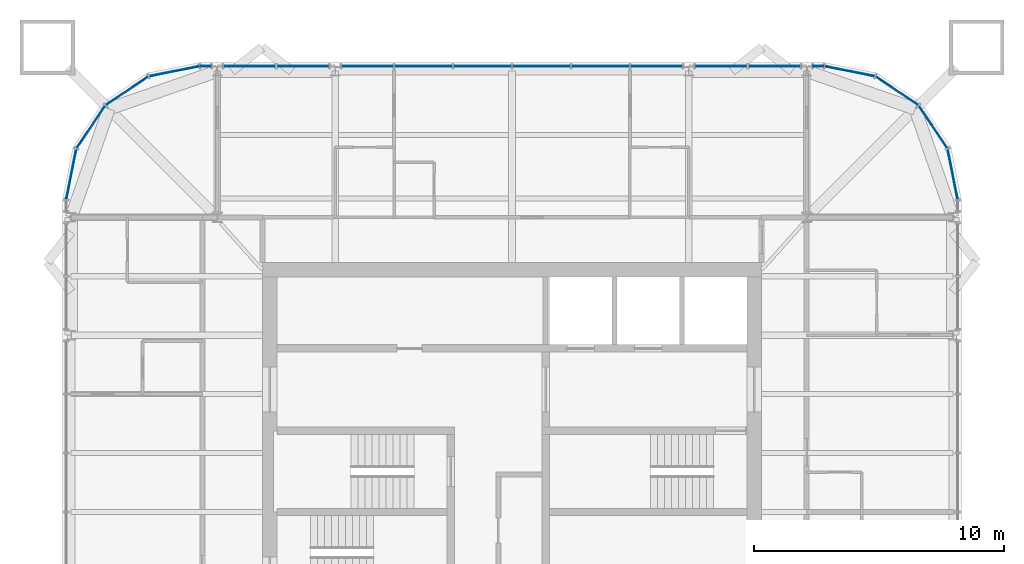
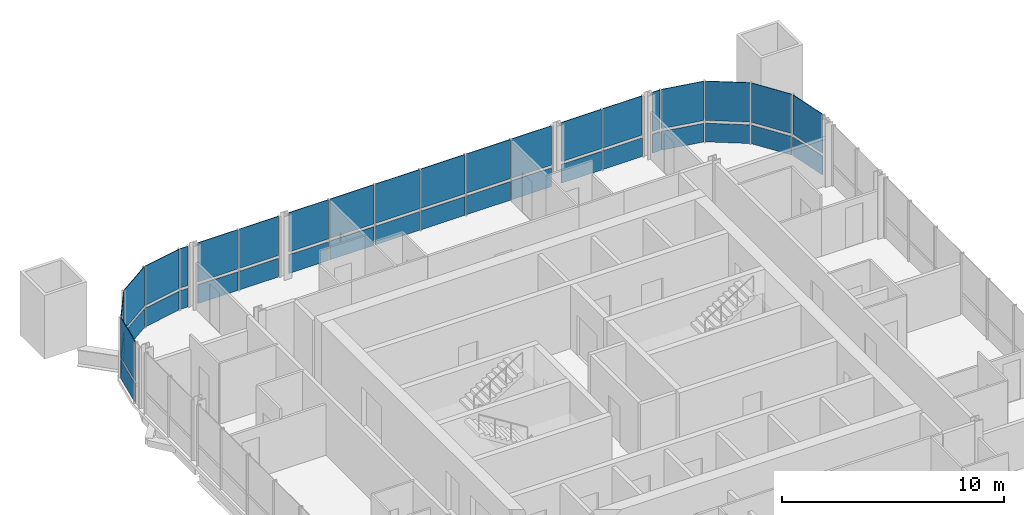
# One storey, part 12 of 17: 40 plates, 7 elements without a shape of their own.
"""IFC4 building model written with IfcOpenShell, lengths in metres."""

from ifc_helpers import new_model, si_unit, direction, frame, origin, origin_2d, place, context, subcontext, project, spatial, rectangle, extrude, material, layer, layer_set, type_object, element, aggregate, save


model = new_model("IFC4")

# Units and contexts
model_context = context("Model", 3, precision=1e-05, world=origin(), true_north=direction((0.0, 1.0)))
body_context = subcontext(model_context, "Body", "Model", "MODEL_VIEW")
ifc_project = project(units=[si_unit("LENGTHUNIT", "METRE"), si_unit("AREAUNIT", "SQUARE_METRE"), si_unit("VOLUMEUNIT", "CUBIC_METRE"), si_unit("PLANEANGLEUNIT", "RADIAN"), si_unit("MASSUNIT", "GRAM", prefix="KILO")], contexts=[model_context])

# Site, building, storey
site_placement = place(None, origin())
site = spatial("IfcSite", under=ifc_project, at=site_placement, CompositionType="ELEMENT")
building_placement = place(site_placement, origin())
building = spatial("IfcBuilding", under=site, at=building_placement, Name="Turquesa Mirador Hotel Tower", CompositionType="ELEMENT")
storey_placement = place(building_placement, frame((0.0, 0.0, 237.199951171875)))
storey = spatial("IfcBuildingStorey", under=building, at=storey_placement, Name="L64", CompositionType="ELEMENT", Elevation=237.199951171875)

# Curtain wall, plates
ifc_material_1 = material(Name="Aluminium extrusion", Category="aluminium")
curtain_wall_type = type_object("IfcCurtainWallType", Name="CW-4 SUITE FRITTED CURTAIN WALL", PredefinedType="USERDEFINED", material=ifc_material_1)
curtain_wall_1_placement = place(storey_placement, origin())
curtain_wall_1 = element("IfcCurtainWall", 1, at=curtain_wall_1_placement, inside=storey, type_object=curtain_wall_type, Name="CW-4 SUITE FRITTED CURTAIN WALL L64", ObjectType="CURTAIN WALL", PredefinedType="USERDEFINED")
ifc_material_2 = material(Name="Ceramic-printed spandrel glass on an insulated back pan", Category="glass")
ifc_layer_1 = layer(ifc_material_2, 0.050048828125)
ifc_layer_set_1 = layer_set([ifc_layer_1], Name="CW PANEL SPANDREL CERAMIC")
plate_type_1 = type_object("IfcPlateType", Name="CW PANEL SPANDREL CERAMIC", PredefinedType="CURTAIN_PANEL", material=ifc_layer_set_1)
plate_1_placement = place(storey_placement, frame((72.646484375, 58.523681640625, 0.0), z_axis=(0.0, 0.0, 1.0), x_axis=(-0.195090585221, 0.980785228048, 0.0)))
plate_1 = element("IfcPlate", 2, at=plate_1_placement, type_object=plate_type_1, Name="Panel", PredefinedType="CURTAIN_PANEL", context=body_context, shape_type="SweptSolid", body=[
    extrude(rectangle(XDim=2.0224609375, YDim=0.050048828125, at=origin_2d()), origin(), (0.0, 0.0, 1.0), 1.02490234375),
])
plate_2_placement = place(storey_placement, frame((71.86279296875, 60.415283203125, 0.0), z_axis=(0.0, 0.0, 1.0), x_axis=(-0.555570141754, 0.831469673284, 0.0)))
plate_2 = element("IfcPlate", 3, at=plate_2_placement, type_object=plate_type_1, Name="Panel", PredefinedType="CURTAIN_PANEL", context=body_context, shape_type="SweptSolid", body=[
    extrude(rectangle(XDim=2.0224609375, YDim=0.050048828125, at=origin_2d()), origin(), (0.0, 0.0, 1.0), 1.02490234375),
])
plate_3_placement = place(storey_placement, frame((70.415283203125, 61.86279296875, 0.0), z_axis=(0.0, 0.0, 1.0), x_axis=(-0.831469673284, 0.555570141754, 0.0)))
plate_3 = element("IfcPlate", 4, at=plate_3_placement, type_object=plate_type_1, Name="Panel", PredefinedType="CURTAIN_PANEL", context=body_context, shape_type="SweptSolid", body=[
    extrude(rectangle(XDim=2.0224609375, YDim=0.050048828125, at=origin_2d()), origin(), (0.0, 0.0, 1.0), 1.02490234375),
])
plate_4_placement = place(storey_placement, frame((68.523681640625, 62.646484375, 0.0), z_axis=(0.0, 0.0, 1.0), x_axis=(-0.980785228048, 0.195090585221, 0.0)))
plate_4 = element("IfcPlate", 5, at=plate_4_placement, type_object=plate_type_1, Name="Panel", PredefinedType="CURTAIN_PANEL", context=body_context, shape_type="SweptSolid", body=[
    extrude(rectangle(XDim=2.0224609375, YDim=0.050048828125, at=origin_2d()), origin(), (0.0, 0.0, 1.0), 1.02490234375),
])

# Curtain wall, plate
curtain_wall_2_placement = place(storey_placement, origin())
curtain_wall_2 = element("IfcCurtainWall", 6, at=curtain_wall_2_placement, inside=storey, type_object=curtain_wall_type, Name="CW-4 SUITE FRITTED CURTAIN WALL L64", ObjectType="CURTAIN WALL", PredefinedType="USERDEFINED")
plate_5_placement = place(storey_placement, frame((67.266845703125, 62.85009765625, 0.0), z_axis=(0.0, 0.0, 1.0), x_axis=(-1.0, 0.0, 0.0)))
plate_5 = element("IfcPlate", 7, at=plate_5_placement, type_object=plate_type_1, Name="Panel", PredefinedType="CURTAIN_PANEL", context=body_context, shape_type="SweptSolid", body=[
    extrude(rectangle(XDim=0.401123046875, YDim=0.050048828125, at=origin_2d()), origin(), (0.0, 0.0, 1.0), 1.02490234375),
])

# Curtain wall, plates
curtain_wall_3_placement = place(storey_placement, origin())
curtain_wall_3 = element("IfcCurtainWall", 8, at=curtain_wall_3_placement, inside=storey, type_object=curtain_wall_type, Name="CW-4 SUITE FRITTED CURTAIN WALL L64", ObjectType="CURTAIN WALL", PredefinedType="USERDEFINED")
plate_6_placement = place(storey_placement, frame((65.503173828125, 62.85009765625, 0.0), z_axis=(0.0, 0.0, 1.0), x_axis=(-1.0, 0.0, 0.0)))
plate_6 = element("IfcPlate", 9, at=plate_6_placement, type_object=plate_type_1, Name="Panel", PredefinedType="CURTAIN_PANEL", context=body_context, shape_type="SweptSolid", body=[
    extrude(rectangle(XDim=2.06103515625, YDim=0.050048828125, at=origin_2d()), origin(), (0.0, 0.0, 1.0), 1.02490234375),
])
plate_7_placement = place(storey_placement, frame((63.376953125, 62.85009765625, 0.0), z_axis=(0.0, 0.0, 1.0), x_axis=(-1.0, 0.0, 0.0)))
plate_7 = element("IfcPlate", 10, at=plate_7_placement, type_object=plate_type_1, Name="Panel", PredefinedType="CURTAIN_PANEL", context=body_context, shape_type="SweptSolid", body=[
    extrude(rectangle(XDim=2.06103515625, YDim=0.050048828125, at=origin_2d()), origin(), (0.0, 0.0, 1.0), 1.02490234375),
])

curtain_wall_4_placement = place(storey_placement, origin())
curtain_wall_4 = element("IfcCurtainWall", 11, at=curtain_wall_4_placement, inside=storey, type_object=curtain_wall_type, Name="CW-4 SUITE FRITTED CURTAIN WALL L64", ObjectType="CURTAIN WALL", PredefinedType="USERDEFINED")
plate_8_placement = place(storey_placement, frame((60.782958984375, 62.85009765625, 0.0), z_axis=(0.0, 0.0, 1.0), x_axis=(-1.0, 0.0, 0.0)))
plate_8 = element("IfcPlate", 12, at=plate_8_placement, type_object=plate_type_1, Name="Panel", PredefinedType="CURTAIN_PANEL", context=body_context, shape_type="SweptSolid", body=[
    extrude(rectangle(XDim=2.06103515625, YDim=0.050048828125, at=origin_2d()), origin(), (0.0, 0.0, 1.0), 1.02490234375),
])
plate_9_placement = place(storey_placement, frame((58.5400390625, 62.85009765625, 0.0), z_axis=(0.0, 0.0, 1.0), x_axis=(-1.0, 0.0, 0.0)))
plate_9 = element("IfcPlate", 13, at=plate_9_placement, type_object=plate_type_1, Name="Panel", PredefinedType="CURTAIN_PANEL", context=body_context, shape_type="SweptSolid", body=[
    extrude(rectangle(XDim=2.294921875, YDim=0.050048828125, at=origin_2d()), origin(), (0.0, 0.0, 1.0), 1.02490234375),
])
plate_10_placement = place(storey_placement, frame((56.179931640625, 62.85009765625, 0.0), z_axis=(0.0, 0.0, 1.0), x_axis=(-1.0, 0.0, 0.0)))
plate_10 = element("IfcPlate", 14, at=plate_10_placement, type_object=plate_type_1, Name="Panel", PredefinedType="CURTAIN_PANEL", context=body_context, shape_type="SweptSolid", body=[
    extrude(rectangle(XDim=2.294921875, YDim=0.050048828125, at=origin_2d()), origin(), (0.0, 0.0, 1.0), 1.02490234375),
])
plate_11_placement = place(storey_placement, frame((53.820068359375, 62.85009765625, 0.0), z_axis=(0.0, 0.0, 1.0), x_axis=(-1.0, 0.0, 0.0)))
plate_11 = element("IfcPlate", 15, at=plate_11_placement, type_object=plate_type_1, Name="Panel", PredefinedType="CURTAIN_PANEL", context=body_context, shape_type="SweptSolid", body=[
    extrude(rectangle(XDim=2.294921875, YDim=0.050048828125, at=origin_2d()), origin(), (0.0, 0.0, 1.0), 1.02490234375),
])
plate_12_placement = place(storey_placement, frame((51.4599609375, 62.85009765625, 0.0), z_axis=(0.0, 0.0, 1.0), x_axis=(-1.0, 0.0, 0.0)))
plate_12 = element("IfcPlate", 16, at=plate_12_placement, type_object=plate_type_1, Name="Panel", PredefinedType="CURTAIN_PANEL", context=body_context, shape_type="SweptSolid", body=[
    extrude(rectangle(XDim=2.294921875, YDim=0.050048828125, at=origin_2d()), origin(), (0.0, 0.0, 1.0), 1.02490234375),
])
plate_13_placement = place(storey_placement, frame((49.217041015625, 62.85009765625, 0.0), z_axis=(0.0, 0.0, 1.0), x_axis=(-1.0, 0.0, 0.0)))
plate_13 = element("IfcPlate", 17, at=plate_13_placement, type_object=plate_type_1, Name="Panel", PredefinedType="CURTAIN_PANEL", context=body_context, shape_type="SweptSolid", body=[
    extrude(rectangle(XDim=2.06103515625, YDim=0.050048828125, at=origin_2d()), origin(), (0.0, 0.0, 1.0), 1.02490234375),
])

curtain_wall_5_placement = place(storey_placement, origin())
curtain_wall_5 = element("IfcCurtainWall", 18, at=curtain_wall_5_placement, inside=storey, type_object=curtain_wall_type, Name="CW-4 SUITE FRITTED CURTAIN WALL L64", ObjectType="CURTAIN WALL", PredefinedType="USERDEFINED")
plate_14_placement = place(storey_placement, frame((46.623046875, 62.85009765625, 0.0), z_axis=(0.0, 0.0, 1.0), x_axis=(-1.0, 0.0, 0.0)))
plate_14 = element("IfcPlate", 19, at=plate_14_placement, type_object=plate_type_1, Name="Panel", PredefinedType="CURTAIN_PANEL", context=body_context, shape_type="SweptSolid", body=[
    extrude(rectangle(XDim=2.06103515625, YDim=0.050048828125, at=origin_2d()), origin(), (0.0, 0.0, 1.0), 1.02490234375),
])
plate_15_placement = place(storey_placement, frame((44.496826171875, 62.85009765625, 0.0), z_axis=(0.0, 0.0, 1.0), x_axis=(-1.0, 0.0, 0.0)))
plate_15 = element("IfcPlate", 20, at=plate_15_placement, type_object=plate_type_1, Name="Panel", PredefinedType="CURTAIN_PANEL", context=body_context, shape_type="SweptSolid", body=[
    extrude(rectangle(XDim=2.06103515625, YDim=0.050048828125, at=origin_2d()), origin(), (0.0, 0.0, 1.0), 1.02490234375),
])

# Curtain wall, plate
curtain_wall_6_placement = place(storey_placement, origin())
curtain_wall_6 = element("IfcCurtainWall", 21, at=curtain_wall_6_placement, inside=storey, type_object=curtain_wall_type, Name="CW-4 SUITE FRITTED CURTAIN WALL L64", ObjectType="CURTAIN WALL", PredefinedType="USERDEFINED")
plate_16_placement = place(storey_placement, frame((42.733154296875, 62.85009765625, 0.0), z_axis=(0.0, 0.0, 1.0), x_axis=(-1.0, 0.0, 0.0)))
plate_16 = element("IfcPlate", 22, at=plate_16_placement, type_object=plate_type_1, Name="Panel", PredefinedType="CURTAIN_PANEL", context=body_context, shape_type="SweptSolid", body=[
    extrude(rectangle(XDim=0.401123046875, YDim=0.050048828125, at=origin_2d()), origin(), (0.0, 0.0, 1.0), 1.02490234375),
])

# Curtain wall, plates
curtain_wall_7_placement = place(storey_placement, origin())
curtain_wall_7 = element("IfcCurtainWall", 23, at=curtain_wall_7_placement, inside=storey, type_object=curtain_wall_type, Name="CW-4 SUITE FRITTED CURTAIN WALL L64", ObjectType="CURTAIN WALL", PredefinedType="USERDEFINED")
plate_17_placement = place(storey_placement, frame((41.476318359375, 62.646484375, 0.0), z_axis=(0.0, 0.0, 1.0), x_axis=(-0.980785228048, -0.195090585221, 0.0)))
plate_17 = element("IfcPlate", 24, at=plate_17_placement, type_object=plate_type_1, Name="Panel", PredefinedType="CURTAIN_PANEL", context=body_context, shape_type="SweptSolid", body=[
    extrude(rectangle(XDim=2.0224609375, YDim=0.050048828125, at=origin_2d()), origin(), (0.0, 0.0, 1.0), 1.02490234375),
])
plate_18_placement = place(storey_placement, frame((39.584716796875, 61.86279296875, 0.0), z_axis=(0.0, 0.0, 1.0), x_axis=(-0.831469673284, -0.555570141754, 0.0)))
plate_18 = element("IfcPlate", 25, at=plate_18_placement, type_object=plate_type_1, Name="Panel", PredefinedType="CURTAIN_PANEL", context=body_context, shape_type="SweptSolid", body=[
    extrude(rectangle(XDim=2.0224609375, YDim=0.050048828125, at=origin_2d()), origin(), (0.0, 0.0, 1.0), 1.02490234375),
])
plate_19_placement = place(storey_placement, frame((38.13720703125, 60.415283203125, 0.0), z_axis=(0.0, 0.0, 1.0), x_axis=(-0.555570141754, -0.831469673284, 0.0)))
plate_19 = element("IfcPlate", 26, at=plate_19_placement, type_object=plate_type_1, Name="Panel", PredefinedType="CURTAIN_PANEL", context=body_context, shape_type="SweptSolid", body=[
    extrude(rectangle(XDim=2.0224609375, YDim=0.050048828125, at=origin_2d()), origin(), (0.0, 0.0, 1.0), 1.02490234375),
])
plate_20_placement = place(storey_placement, frame((37.353515625, 58.523681640625, 0.0), z_axis=(0.0, 0.0, 1.0), x_axis=(-0.195090585221, -0.980785228048, 0.0)))
plate_20 = element("IfcPlate", 27, at=plate_20_placement, type_object=plate_type_1, Name="Panel", PredefinedType="CURTAIN_PANEL", context=body_context, shape_type="SweptSolid", body=[
    extrude(rectangle(XDim=2.0224609375, YDim=0.050048828125, at=origin_2d()), origin(), (0.0, 0.0, 1.0), 1.02490234375),
])

# Plate
ifc_material_3 = material(Name="Ceramic-fritted laminated glass", Category="glass")
ifc_layer_2 = layer(ifc_material_3, 0.031982421875)
ifc_layer_set_2 = layer_set([ifc_layer_2], Name="CW PANEL VISION FRITTED")
plate_type_2 = type_object("IfcPlateType", Name="CW PANEL VISION FRITTED", PredefinedType="CURTAIN_PANEL", material=ifc_layer_set_2)
plate_21_placement = place(storey_placement, frame((72.646484375, 58.523681640625, 1.1748046875), z_axis=(0.0, 0.0, 1.0), x_axis=(-0.195090585221, 0.980785228048, 0.0)))
plate_21 = element("IfcPlate", 28, at=plate_21_placement, type_object=plate_type_2, Name="Panel", PredefinedType="CURTAIN_PANEL", context=body_context, shape_type="SweptSolid", body=[
    extrude(rectangle(XDim=2.0224609375, YDim=0.031982421875, at=origin_2d()), origin(), (0.0, 0.0, 1.0), 2.155029296875),
])

plate_22_placement = place(storey_placement, frame((71.86279296875, 60.415283203125, 1.1748046875), z_axis=(0.0, 0.0, 1.0), x_axis=(-0.555570141754, 0.831469673284, 0.0)))
plate_22 = element("IfcPlate", 29, at=plate_22_placement, type_object=plate_type_2, Name="Panel", PredefinedType="CURTAIN_PANEL", context=body_context, shape_type="SweptSolid", body=[
    extrude(rectangle(XDim=2.0224609375, YDim=0.031982421875, at=origin_2d()), origin(), (0.0, 0.0, 1.0), 2.155029296875),
])

plate_23_placement = place(storey_placement, frame((70.415283203125, 61.86279296875, 1.1748046875), z_axis=(0.0, 0.0, 1.0), x_axis=(-0.831469673284, 0.555570141754, 0.0)))
plate_23 = element("IfcPlate", 30, at=plate_23_placement, type_object=plate_type_2, Name="Panel", PredefinedType="CURTAIN_PANEL", context=body_context, shape_type="SweptSolid", body=[
    extrude(rectangle(XDim=2.0224609375, YDim=0.031982421875, at=origin_2d()), origin(), (0.0, 0.0, 1.0), 2.155029296875),
])

plate_24_placement = place(storey_placement, frame((68.523681640625, 62.646484375, 1.1748046875), z_axis=(0.0, 0.0, 1.0), x_axis=(-0.980785228048, 0.195090585221, 0.0)))
plate_24 = element("IfcPlate", 31, at=plate_24_placement, type_object=plate_type_2, Name="Panel", PredefinedType="CURTAIN_PANEL", context=body_context, shape_type="SweptSolid", body=[
    extrude(rectangle(XDim=2.0224609375, YDim=0.031982421875, at=origin_2d()), origin(), (0.0, 0.0, 1.0), 2.155029296875),
])

aggregate(curtain_wall_1, [plate_1, plate_21, plate_2, plate_22, plate_3, plate_23, plate_4, plate_24])

plate_25_placement = place(storey_placement, frame((67.266845703125, 62.85009765625, 1.1748046875), z_axis=(0.0, 0.0, 1.0), x_axis=(-1.0, 0.0, 0.0)))
plate_25 = element("IfcPlate", 32, at=plate_25_placement, type_object=plate_type_2, Name="Panel", PredefinedType="CURTAIN_PANEL", context=body_context, shape_type="SweptSolid", body=[
    extrude(rectangle(XDim=0.401123046875, YDim=0.031982421875, at=origin_2d()), origin(), (0.0, 0.0, 1.0), 2.155029296875),
])

aggregate(curtain_wall_2, [plate_5, plate_25])

plate_26_placement = place(storey_placement, frame((65.503173828125, 62.85009765625, 1.1748046875), z_axis=(0.0, 0.0, 1.0), x_axis=(-1.0, 0.0, 0.0)))
plate_26 = element("IfcPlate", 33, at=plate_26_placement, type_object=plate_type_2, Name="Panel", PredefinedType="CURTAIN_PANEL", context=body_context, shape_type="SweptSolid", body=[
    extrude(rectangle(XDim=2.06103515625, YDim=0.031982421875, at=origin_2d()), origin(), (0.0, 0.0, 1.0), 2.155029296875),
])

plate_27_placement = place(storey_placement, frame((63.376953125, 62.85009765625, 1.1748046875), z_axis=(0.0, 0.0, 1.0), x_axis=(-1.0, 0.0, 0.0)))
plate_27 = element("IfcPlate", 34, at=plate_27_placement, type_object=plate_type_2, Name="Panel", PredefinedType="CURTAIN_PANEL", context=body_context, shape_type="SweptSolid", body=[
    extrude(rectangle(XDim=2.06103515625, YDim=0.031982421875, at=origin_2d()), origin(), (0.0, 0.0, 1.0), 2.155029296875),
])

aggregate(curtain_wall_3, [plate_6, plate_26, plate_7, plate_27])

plate_28_placement = place(storey_placement, frame((60.782958984375, 62.85009765625, 1.1748046875), z_axis=(0.0, 0.0, 1.0), x_axis=(-1.0, 0.0, 0.0)))
plate_28 = element("IfcPlate", 35, at=plate_28_placement, type_object=plate_type_2, Name="Panel", PredefinedType="CURTAIN_PANEL", context=body_context, shape_type="SweptSolid", body=[
    extrude(rectangle(XDim=2.06103515625, YDim=0.031982421875, at=origin_2d()), origin(), (0.0, 0.0, 1.0), 2.155029296875),
])

plate_29_placement = place(storey_placement, frame((58.5400390625, 62.85009765625, 1.1748046875), z_axis=(0.0, 0.0, 1.0), x_axis=(-1.0, 0.0, 0.0)))
plate_29 = element("IfcPlate", 36, at=plate_29_placement, type_object=plate_type_2, Name="Panel", PredefinedType="CURTAIN_PANEL", context=body_context, shape_type="SweptSolid", body=[
    extrude(rectangle(XDim=2.294921875, YDim=0.031982421875, at=origin_2d()), origin(), (0.0, 0.0, 1.0), 2.155029296875),
])

plate_30_placement = place(storey_placement, frame((56.179931640625, 62.85009765625, 1.1748046875), z_axis=(0.0, 0.0, 1.0), x_axis=(-1.0, 0.0, 0.0)))
plate_30 = element("IfcPlate", 37, at=plate_30_placement, type_object=plate_type_2, Name="Panel", PredefinedType="CURTAIN_PANEL", context=body_context, shape_type="SweptSolid", body=[
    extrude(rectangle(XDim=2.294921875, YDim=0.031982421875, at=origin_2d()), origin(), (0.0, 0.0, 1.0), 2.155029296875),
])

plate_31_placement = place(storey_placement, frame((53.820068359375, 62.85009765625, 1.1748046875), z_axis=(0.0, 0.0, 1.0), x_axis=(-1.0, 0.0, 0.0)))
plate_31 = element("IfcPlate", 38, at=plate_31_placement, type_object=plate_type_2, Name="Panel", PredefinedType="CURTAIN_PANEL", context=body_context, shape_type="SweptSolid", body=[
    extrude(rectangle(XDim=2.294921875, YDim=0.031982421875, at=origin_2d()), origin(), (0.0, 0.0, 1.0), 2.155029296875),
])

plate_32_placement = place(storey_placement, frame((51.4599609375, 62.85009765625, 1.1748046875), z_axis=(0.0, 0.0, 1.0), x_axis=(-1.0, 0.0, 0.0)))
plate_32 = element("IfcPlate", 39, at=plate_32_placement, type_object=plate_type_2, Name="Panel", PredefinedType="CURTAIN_PANEL", context=body_context, shape_type="SweptSolid", body=[
    extrude(rectangle(XDim=2.294921875, YDim=0.031982421875, at=origin_2d()), origin(), (0.0, 0.0, 1.0), 2.155029296875),
])

plate_33_placement = place(storey_placement, frame((49.217041015625, 62.85009765625, 1.1748046875), z_axis=(0.0, 0.0, 1.0), x_axis=(-1.0, 0.0, 0.0)))
plate_33 = element("IfcPlate", 40, at=plate_33_placement, type_object=plate_type_2, Name="Panel", PredefinedType="CURTAIN_PANEL", context=body_context, shape_type="SweptSolid", body=[
    extrude(rectangle(XDim=2.06103515625, YDim=0.031982421875, at=origin_2d()), origin(), (0.0, 0.0, 1.0), 2.155029296875),
])

aggregate(curtain_wall_4, [plate_8, plate_28, plate_9, plate_29, plate_10, plate_30, plate_11, plate_31, plate_12, plate_32, plate_13, plate_33])

plate_34_placement = place(storey_placement, frame((46.623046875, 62.85009765625, 1.1748046875), z_axis=(0.0, 0.0, 1.0), x_axis=(-1.0, 0.0, 0.0)))
plate_34 = element("IfcPlate", 41, at=plate_34_placement, type_object=plate_type_2, Name="Panel", PredefinedType="CURTAIN_PANEL", context=body_context, shape_type="SweptSolid", body=[
    extrude(rectangle(XDim=2.06103515625, YDim=0.031982421875, at=origin_2d()), origin(), (0.0, 0.0, 1.0), 2.155029296875),
])

plate_35_placement = place(storey_placement, frame((44.496826171875, 62.85009765625, 1.1748046875), z_axis=(0.0, 0.0, 1.0), x_axis=(-1.0, 0.0, 0.0)))
plate_35 = element("IfcPlate", 42, at=plate_35_placement, type_object=plate_type_2, Name="Panel", PredefinedType="CURTAIN_PANEL", context=body_context, shape_type="SweptSolid", body=[
    extrude(rectangle(XDim=2.06103515625, YDim=0.031982421875, at=origin_2d()), origin(), (0.0, 0.0, 1.0), 2.155029296875),
])

aggregate(curtain_wall_5, [plate_14, plate_34, plate_15, plate_35])

plate_36_placement = place(storey_placement, frame((42.733154296875, 62.85009765625, 1.1748046875), z_axis=(0.0, 0.0, 1.0), x_axis=(-1.0, 0.0, 0.0)))
plate_36 = element("IfcPlate", 43, at=plate_36_placement, type_object=plate_type_2, Name="Panel", PredefinedType="CURTAIN_PANEL", context=body_context, shape_type="SweptSolid", body=[
    extrude(rectangle(XDim=0.401123046875, YDim=0.031982421875, at=origin_2d()), origin(), (0.0, 0.0, 1.0), 2.155029296875),
])

aggregate(curtain_wall_6, [plate_16, plate_36])

plate_37_placement = place(storey_placement, frame((41.476318359375, 62.646484375, 1.1748046875), z_axis=(0.0, 0.0, 1.0), x_axis=(-0.980785228048, -0.195090585221, 0.0)))
plate_37 = element("IfcPlate", 44, at=plate_37_placement, type_object=plate_type_2, Name="Panel", PredefinedType="CURTAIN_PANEL", context=body_context, shape_type="SweptSolid", body=[
    extrude(rectangle(XDim=2.0224609375, YDim=0.031982421875, at=origin_2d()), origin(), (0.0, 0.0, 1.0), 2.155029296875),
])

plate_38_placement = place(storey_placement, frame((39.584716796875, 61.86279296875, 1.1748046875), z_axis=(0.0, 0.0, 1.0), x_axis=(-0.831469673284, -0.555570141754, 0.0)))
plate_38 = element("IfcPlate", 45, at=plate_38_placement, type_object=plate_type_2, Name="Panel", PredefinedType="CURTAIN_PANEL", context=body_context, shape_type="SweptSolid", body=[
    extrude(rectangle(XDim=2.0224609375, YDim=0.031982421875, at=origin_2d()), origin(), (0.0, 0.0, 1.0), 2.155029296875),
])

plate_39_placement = place(storey_placement, frame((38.13720703125, 60.415283203125, 1.1748046875), z_axis=(0.0, 0.0, 1.0), x_axis=(-0.555570141754, -0.831469673284, 0.0)))
plate_39 = element("IfcPlate", 46, at=plate_39_placement, type_object=plate_type_2, Name="Panel", PredefinedType="CURTAIN_PANEL", context=body_context, shape_type="SweptSolid", body=[
    extrude(rectangle(XDim=2.0224609375, YDim=0.031982421875, at=origin_2d()), origin(), (0.0, 0.0, 1.0), 2.155029296875),
])

plate_40_placement = place(storey_placement, frame((37.353515625, 58.523681640625, 1.1748046875), z_axis=(0.0, 0.0, 1.0), x_axis=(-0.195090585221, -0.980785228048, 0.0)))
plate_40 = element("IfcPlate", 47, at=plate_40_placement, type_object=plate_type_2, Name="Panel", PredefinedType="CURTAIN_PANEL", context=body_context, shape_type="SweptSolid", body=[
    extrude(rectangle(XDim=2.0224609375, YDim=0.031982421875, at=origin_2d()), origin(), (0.0, 0.0, 1.0), 2.155029296875),
])

aggregate(curtain_wall_7, [plate_17, plate_37, plate_18, plate_38, plate_19, plate_39, plate_20, plate_40])

save(model, "model.ifc")
